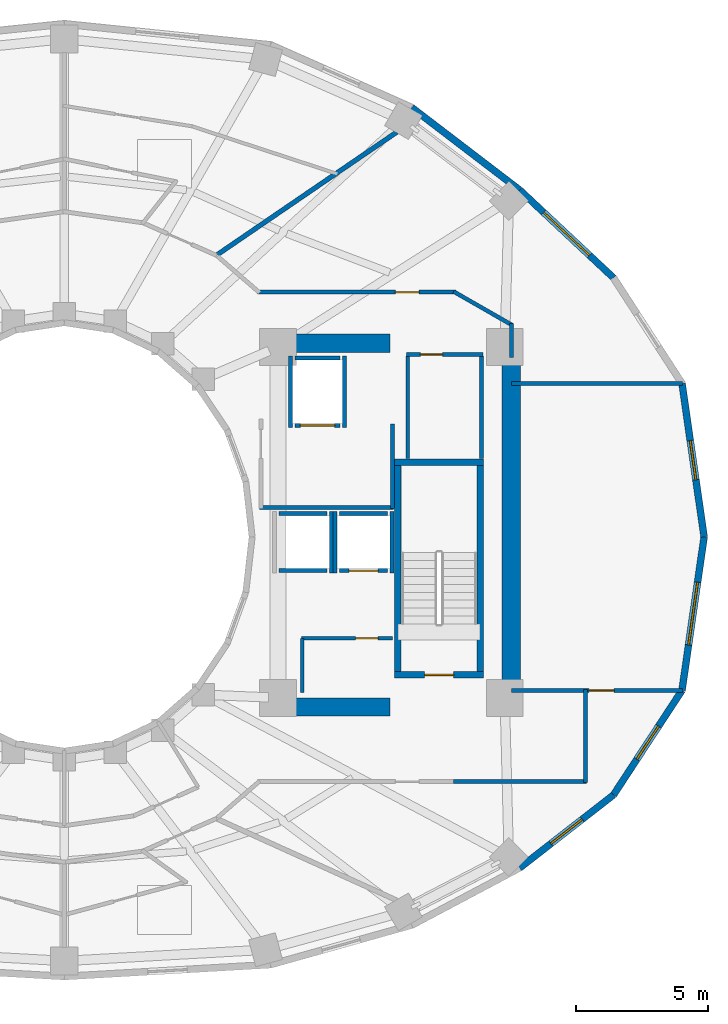
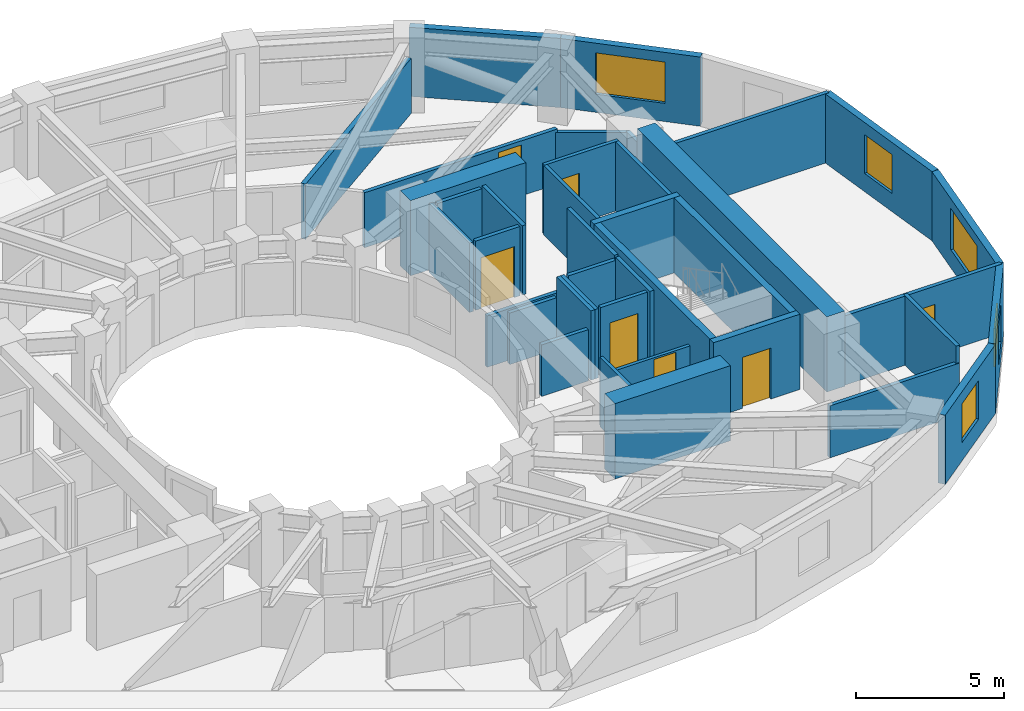
# One storey, part 6 of 9: 39 walls, 7 doors, 5 windows, 12 openings.
"""IFC4 building model written with IfcOpenShell, lengths in metres."""

from ifc_helpers import new_model, si_unit, direction, frame, frame_2d, origin, place, context, subcontext, project, spatial, rectangle, extrude, material, layer, layer_set, type_object, element, fill, save


model = new_model("IFC4")

# Units and contexts
model_context = context("Model", 3, precision=1e-05, world=origin(), true_north=direction((0.0, 1.0)))
body_context = subcontext(model_context, "Body", "Model", "MODEL_VIEW")
ifc_project = project(units=[si_unit("LENGTHUNIT", "METRE"), si_unit("AREAUNIT", "SQUARE_METRE"), si_unit("VOLUMEUNIT", "CUBIC_METRE"), si_unit("PLANEANGLEUNIT", "RADIAN"), si_unit("MASSUNIT", "GRAM", prefix="KILO")], contexts=[model_context])

# Site, building, storey
site_placement = place(None, origin())
site = spatial("IfcSite", under=ifc_project, at=site_placement, CompositionType="ELEMENT")
building_placement = place(site_placement, origin())
building = spatial("IfcBuilding", under=site, at=building_placement, Name="Solvane Sanctuary Tower", CompositionType="ELEMENT")
storey_placement = place(building_placement, frame((0.0, 0.0, 113.5)))
storey = spatial("IfcBuildingStorey", under=building, at=storey_placement, Name="L34", CompositionType="ELEMENT", Elevation=113.5)

# Walls
ifc_material_1 = material(Name="Concrete C60/75", Category="concrete")
ifc_layer_1 = layer(ifc_material_1, 0.699951171875, Name="Concrete C60/75")
ifc_layer_set_1 = layer_set([ifc_layer_1], Name="Concrete C60/75")
wall_type_1 = type_object("IfcWallType", Name="Wall W-CORE-700", PredefinedType="SHEAR", material=ifc_layer_set_1)
wall_1_placement = place(storey_placement, frame((48.949951171875, 17.050048828125, 0.0), z_axis=(0.0, 0.0, 1.0), x_axis=(0.0, 1.0, 0.0)))
element("IfcWall", 1, at=wall_1_placement, inside=storey, type_object=wall_type_1, Name="L34 Core Shear Wall EC-E", PredefinedType="SHEAR", context=body_context, shape_type="SweptSolid", body=[
    extrude(rectangle(XDim=12.800048828125, YDim=0.699951171875, at=frame_2d((6.39990234375, 0.0))), origin(), (0.0, 0.0, 1.0), 3.10009765625),
])
for number, where, z_axis, x_axis, name in (
    (2, (39.85009765625, 16.550048828125, 0.0), (0.0, 0.0, 1.0), (1.0, 0.0, 0.0), "L34 Core Shear Wall EC-S"),
    (3, (39.85009765625, 30.35009765625, 0.0), (0.0, 0.0, 1.0), (1.0, 0.0, 0.0), "L34 Core Shear Wall EC-N"),
):
    element("IfcWall", number, at=place(storey_placement, frame(where, z_axis=z_axis, x_axis=x_axis)), inside=storey, type_object=wall_type_1, Name=name, PredefinedType="SHEAR", context=body_context, shape_type="SweptSolid", body=[
        extrude(rectangle(XDim=4.5, YDim=0.699951171875, at=frame_2d((2.25, 0.0))), origin(), (0.0, 0.0, 1.0), 3.10009765625),
    ])
ifc_material_2 = material(Name="Acoustic Gypsum Partition Board")
ifc_layer_2 = layer(ifc_material_2, 0.14990234375, Name="Acoustic Gypsum Partition Board")
ifc_layer_set_2 = layer_set([ifc_layer_2], Name="Acoustic Gypsum Partition Board")
wall_type_2 = type_object("IfcWallType", Name="Wall W-CORR-150", PredefinedType="PARTITIONING", material=ifc_layer_set_2)
wall_2_placement = place(storey_placement, frame((39.39990234375, 24.1201171875, 0.0), z_axis=(0.0, 0.0, 1.0), x_axis=(1.0, 0.0, 0.0)))
element("IfcWall", 4, at=wall_2_placement, inside=storey, type_object=wall_type_2, Name="L34 East Firefighting Lobby South Wall", PredefinedType="PARTITIONING", context=body_context, shape_type="SweptSolid", body=[
    extrude(rectangle(XDim=5.080078125, YDim=0.14990234375, at=frame_2d((2.5400390625, 0.0))), origin(), (0.0, 0.0, 1.0), 2.1201171875),
])
wall_3_placement = place(storey_placement, frame((44.449951171875, 24.080078125, 0.0), z_axis=(0.0, 0.0, 1.0), x_axis=(0.0, 1.0, 0.0)))
element("IfcWall", 5, at=wall_3_placement, inside=storey, type_object=wall_type_2, Name="L34 East Firefighting Lobby East Wall", PredefinedType="PARTITIONING", context=body_context, shape_type="SweptSolid", body=[
    extrude(rectangle(XDim=3.199951171875, YDim=0.14990234375, at=frame_2d((1.60009765625, 0.0))), origin(), (0.0, 0.0, 1.0), 2.85498046875),
])

# Wall, opening, door
wall_4_placement = place(storey_placement, frame((48.949951171875, 17.1748046875, 0.0), z_axis=(0.0, 0.0, 1.0), x_axis=(1.0, 0.0, 0.0)))
wall_4 = element("IfcWall", 6, at=wall_4_placement, inside=storey, type_object=wall_type_2, Name="L34 East Shoulder South Wall", PredefinedType="PARTITIONING", context=body_context, shape_type="SweptSolid", body=[
    extrude(rectangle(XDim=6.49169921875, YDim=0.14990234375, at=frame_2d((3.245849609375, 0.0))), origin(), (0.0, 0.0, 1.0), 2.85498046875),
])
opening_1_placement = place(wall_4_placement, frame((2.947509765625, 0.0, 0.0)))
opening_1 = element("IfcOpeningElement", 7, at=opening_1_placement, cuts=wall_4, Name="Opening D-L34-10", PredefinedType="OPENING", context=body_context, shape_type="SweptSolid", body=[
    extrude(rectangle(XDim=0.949951171875, YDim=2.10009765625, at=frame_2d((0.47509765625, 1.050048828125))), frame((0.0, 0.0849609375, 0.0), z_axis=(0.0, -1.0, 0.0), x_axis=(1.0, 0.0, 0.0)), (0.0, 0.0, 1.0), 0.169921875),
])
ifc_material_3 = material(Name="Engineered Tropical Hardwood", Category="wood")
door_type_1 = type_object("IfcDoorType", Name="Door D-ROOM-950", OperationType="NOTDEFINED", PredefinedType="DOOR", material=ifc_material_3)
door_1_placement = place(opening_1_placement, origin())
door_1 = element("IfcDoor", 8, at=door_1_placement, inside=storey, type_object=door_type_1, Name="L34 East Shoulder South Door", OperationType="SINGLE_SWING_LEFT", OverallHeight=2.10009765625, OverallWidth=0.949951171875, PredefinedType="DOOR", context=body_context, shape_type="SweptSolid", body=[
    extrude(rectangle(XDim=0.949951171875, YDim=2.10009765625, at=frame_2d((0.47509765625, 1.050048828125))), frame((0.0, 0.02490234375, 0.0), z_axis=(0.0, -1.0, 0.0), x_axis=(1.0, 0.0, 0.0)), (0.0, 0.0, 1.0), 0.050048828125),
])
fill(opening_1, door_1)

# Walls
wall_5_placement = place(storey_placement, frame((48.949951171875, 28.8251953125, 0.0), z_axis=(0.0, 0.0, 1.0), x_axis=(1.0, 0.0, 0.0)))
element("IfcWall", 9, at=wall_5_placement, inside=storey, type_object=wall_type_2, Name="L34 East Shoulder North Wall", PredefinedType="PARTITIONING", context=body_context, shape_type="SweptSolid", body=[
    extrude(rectangle(XDim=6.49169921875, YDim=0.14990234375, at=frame_2d((3.245849609375, 0.0))), origin(), (0.0, 0.0, 1.0), 2.85498046875),
])
wall_6_placement = place(storey_placement, frame((48.949951171875, 29.800048828125, 0.0), z_axis=(0.0, 0.0, 1.0), x_axis=(0.0, 1.0, 0.0)))
element("IfcWall", 10, at=wall_6_placement, inside=storey, type_object=wall_type_2, Name="L34 NE Corner Closer 1", PredefinedType="PARTITIONING", context=body_context, shape_type="SweptSolid", body=[
    extrude(rectangle(XDim=1.2900390625, YDim=0.14990234375, at=frame_2d((0.64501953125, 0.0))), origin(), (0.0, 0.0, 1.0), 2.14208984375),
])

# Wall, opening, door
wall_7_placement = place(storey_placement, frame((39.330078125, 32.280029296875, 0.0), z_axis=(0.0, 0.0, 1.0), x_axis=(1.0, 0.0, 0.0)))
wall_7 = element("IfcWall", 11, at=wall_7_placement, inside=storey, type_object=wall_type_2, Name="L34 NE Corner Corridor Wall", PredefinedType="PARTITIONING", context=body_context, shape_type="SweptSolid", body=[
    extrude(rectangle(XDim=7.52001953125, YDim=0.14990234375, at=frame_2d((3.760009765625, 0.0))), origin(), (0.0, 0.0, 1.0), 2.27197265625),
])
opening_2_placement = place(wall_7_placement, frame((5.219970703125, 0.0, 0.0)))
opening_2 = element("IfcOpeningElement", 12, at=opening_2_placement, cuts=wall_7, Name="Opening D-L34-12", PredefinedType="OPENING", context=body_context, shape_type="SweptSolid", body=[
    extrude(rectangle(XDim=0.89990234375, YDim=2.10009765625, at=frame_2d((0.449951171875, 1.050048828125))), frame((0.0, 0.0849609375, 0.0), z_axis=(0.0, -1.0, 0.0), x_axis=(1.0, 0.0, 0.0)), (0.0, 0.0, 1.0), 0.169921875),
])
door_type_2 = type_object("IfcDoorType", Name="Door D-WET-900", OperationType="NOTDEFINED", PredefinedType="DOOR", material=ifc_material_3)
door_2_placement = place(opening_2_placement, origin())
door_2 = element("IfcDoor", 13, at=door_2_placement, inside=storey, type_object=door_type_2, Name="L34 NE Corner Salon Door", OperationType="SINGLE_SWING_LEFT", OverallHeight=2.10009765625, OverallWidth=0.89990234375, PredefinedType="DOOR", context=body_context, shape_type="SweptSolid", body=[
    extrude(rectangle(XDim=0.89990234375, YDim=2.10009765625, at=frame_2d((0.449951171875, 1.050048828125))), frame((0.0, 0.02490234375, 0.0), z_axis=(0.0, -1.0, 0.0), x_axis=(1.0, 0.0, 0.0)), (0.0, 0.0, 1.0), 0.050048828125),
])
fill(opening_2, door_2)

# Walls
wall_8_placement = place(storey_placement, frame((46.756591796875, 32.3046875, 0.0), z_axis=(0.0, 0.0, 1.0), x_axis=(0.867991349648, -0.496579315857, 0.0)))
element("IfcWall", 14, at=wall_8_placement, inside=storey, type_object=wall_type_2, Name="L34 NE Corner Wing Wall", PredefinedType="PARTITIONING", context=body_context, shape_type="SweptSolid", body=[
    extrude(rectangle(XDim=2.56689453125, YDim=0.14990234375, at=frame_2d((1.283447265625, 0.0))), origin(), (0.0, 0.0, 1.0), 2.14208984375),
])
wall_9_placement = place(storey_placement, frame((51.760009765625, 13.679931640625, 0.0), z_axis=(0.0, 0.0, 1.0), x_axis=(0.0, 1.0, 0.0)))
element("IfcWall", 15, at=wall_9_placement, inside=storey, type_object=wall_type_2, Name="L34 SE Corner Closer 1", PredefinedType="PARTITIONING", context=body_context, shape_type="SweptSolid", body=[
    extrude(rectangle(XDim=3.534912109375, YDim=0.14990234375, at=frame_2d((1.767578125, 0.0))), origin(), (0.0, 0.0, 1.0), 2.85498046875),
])
wall_10_placement = place(storey_placement, frame((46.75, 13.719970703125, 0.0), z_axis=(0.0, 0.0, 1.0), x_axis=(1.0, 0.0, 0.0)))
element("IfcWall", 16, at=wall_10_placement, inside=storey, type_object=wall_type_2, Name="L34 SE Corner Wing Wall", PredefinedType="PARTITIONING", context=body_context, shape_type="SweptSolid", body=[
    extrude(rectangle(XDim=5.050048828125, YDim=0.14990234375, at=frame_2d((2.52490234375, 0.0))), origin(), (0.0, 0.0, 1.0), 2.14208984375),
])

# Wall, opening, window
ifc_material_4 = material(Name="Precast concrete C40/50", Category="concrete")
ifc_layer_3 = layer(ifc_material_4, 0.260009765625, Name="Precast concrete C40/50")
ifc_layer_set_3 = layer_set([ifc_layer_3], Name="Precast concrete C40/50")
wall_type_3 = type_object("IfcWallType", Name="Wall W-EXT-250", PredefinedType="STANDARD", material=ifc_layer_set_3)
wall_11_placement = place(storey_placement, frame((56.260009765625, 23.0, 0.0), z_axis=(0.0, 0.0, 1.0), x_axis=(-0.142572472068, 0.98978436551, 0.0)))
wall_11 = element("IfcWall", 17, at=wall_11_placement, inside=storey, type_object=wall_type_3, Name="L34 Ceramic-Printed Facade Wall 00", PredefinedType="STANDARD", context=body_context, shape_type="SweptSolid", body=[
    extrude(rectangle(XDim=5.878662109375, YDim=0.260009765625, at=frame_2d((2.939453125, 0.0))), origin(), (0.0, 0.0, 1.0), 2.85009765625),
])
opening_3_placement = place(wall_11_placement, frame((2.189453125, 0.0, 0.75)))
opening_3 = element("IfcOpeningElement", 18, at=opening_3_placement, cuts=wall_11, Name="Opening WN-OPER-1500", PredefinedType="OPENING", context=body_context, shape_type="SweptSolid", body=[
    extrude(rectangle(XDim=1.5, YDim=1.60009765625, at=frame_2d((0.75, 0.800048828125))), frame((0.0, 0.139892578125, 0.0), z_axis=(0.0, -1.0, 0.0), x_axis=(1.0, 0.0, 0.0)), (0.0, 0.0, 1.0), 0.280029296875),
])
ifc_material_5 = material(Name="Dark Ceramic-Fritted Low-E Glass", Category="glass")
window_type_1 = type_object("IfcWindowType", Name="Window WN-OPER-1500", PartitioningType="SINGLE_PANEL", PredefinedType="WINDOW", material=ifc_material_5)
window_1_placement = place(opening_3_placement, origin())
window_1 = element("IfcWindow", 19, at=window_1_placement, inside=storey, type_object=window_type_1, Name="L34 Operable Facade Window 00", OverallHeight=1.60009765625, OverallWidth=1.5, PartitioningType="SINGLE_PANEL", PredefinedType="WINDOW", context=body_context, shape_type="SweptSolid", body=[
    extrude(rectangle(XDim=1.5, YDim=1.60009765625, at=frame_2d((0.75, 0.800048828125))), frame((0.0, 0.030029296875, 0.0), z_axis=(0.0, -1.0, 0.0), x_axis=(1.0, 0.0, 0.0)), (0.0, 0.0, 1.0), 0.06005859375),
])
fill(opening_3, window_1)

wall_12_placement = place(storey_placement, frame((52.820556640625, 32.826904296875, 0.0), z_axis=(0.0, 0.0, 1.0), x_axis=(-0.730162452258, 0.68327358599, 0.0)))
wall_12 = element("IfcWall", 20, at=wall_12_placement, inside=storey, type_object=wall_type_3, Name="L34 Ceramic-Printed Facade Wall 02", PredefinedType="STANDARD", context=body_context, shape_type="SweptSolid", body=[
    extrude(rectangle(XDim=4.868408203125, YDim=0.260009765625, at=frame_2d((2.43408203125, 0.0))), origin(), (0.0, 0.0, 1.0), 2.85009765625),
])
opening_4_placement = place(wall_12_placement, frame((1.234130859375, 0.0, 0.75)))
opening_4 = element("IfcOpeningElement", 21, at=opening_4_placement, cuts=wall_12, Name="Opening WN-RIB-2400", PredefinedType="OPENING", context=body_context, shape_type="SweptSolid", body=[
    extrude(rectangle(XDim=2.39990234375, YDim=1.699951171875, at=frame_2d((1.199951171875, 0.85009765625))), frame((0.0, 0.139892578125, 0.0), z_axis=(0.0, -1.0, 0.0), x_axis=(1.0, 0.0, 0.0)), (0.0, 0.0, 1.0), 0.280029296875),
])
window_type_2 = type_object("IfcWindowType", Name="Window WN-RIB-2400", PartitioningType="SINGLE_PANEL", PredefinedType="WINDOW", material=ifc_material_5)
window_2_placement = place(opening_4_placement, origin())
window_2 = element("IfcWindow", 22, at=window_2_placement, inside=storey, type_object=window_type_2, Name="L34 Operable Facade Window 02", OverallHeight=1.699951171875, OverallWidth=2.39990234375, PartitioningType="SINGLE_PANEL", PredefinedType="WINDOW", context=body_context, shape_type="SweptSolid", body=[
    extrude(rectangle(XDim=2.39990234375, YDim=1.699951171875, at=frame_2d((1.199951171875, 0.85009765625))), frame((0.0, 0.030029296875, 0.0), z_axis=(0.0, -1.0, 0.0), x_axis=(1.0, 0.0, 0.0)), (0.0, 0.0, 1.0), 0.06005859375),
])
fill(opening_4, window_2)

# Wall
wall_13_placement = place(storey_placement, frame((49.265869140625, 36.1533203125, 0.0), z_axis=(0.0, 0.0, 1.0), x_axis=(-0.794809810864, 0.606858603427, 0.0)))
element("IfcWall", 23, at=wall_13_placement, inside=storey, type_object=wall_type_3, Name="L34 Ceramic-Printed Facade Wall 03", PredefinedType="STANDARD", context=body_context, shape_type="SweptSolid", body=[
    extrude(rectangle(XDim=5.149169921875, YDim=0.260009765625, at=frame_2d((2.57470703125, 0.0))), origin(), (0.0, 0.0, 1.0), 2.85009765625),
])

# Wall, opening, window
wall_14_placement = place(storey_placement, frame((49.265869140625, 10.44677734375, 0.0), z_axis=(0.0, 0.0, 1.0), x_axis=(0.789127449954, 0.614229491094, 0.0)))
wall_14 = element("IfcWall", 24, at=wall_14_placement, inside=storey, type_object=wall_type_3, Name="L34 Ceramic-Printed Facade Wall 21", PredefinedType="STANDARD", context=body_context, shape_type="SweptSolid", body=[
    extrude(rectangle(XDim=4.504638671875, YDim=0.260009765625, at=frame_2d((2.25244140625, 0.0))), origin(), (0.0, 0.0, 1.0), 2.85009765625),
])
opening_5_placement = place(wall_14_placement, frame((1.502197265625, 0.0, 0.75)))
opening_5 = element("IfcOpeningElement", 25, at=opening_5_placement, cuts=wall_14, Name="Opening WN-OPER-1500", PredefinedType="OPENING", context=body_context, shape_type="SweptSolid", body=[
    extrude(rectangle(XDim=1.5, YDim=1.60009765625, at=frame_2d((0.75, 0.800048828125))), frame((0.0, 0.139892578125, 0.0), z_axis=(0.0, -1.0, 0.0), x_axis=(1.0, 0.0, 0.0)), (0.0, 0.0, 1.0), 0.280029296875),
])
window_3_placement = place(opening_5_placement, origin())
window_3 = element("IfcWindow", 26, at=window_3_placement, inside=storey, type_object=window_type_1, Name="L34 Operable Facade Window 21", OverallHeight=1.60009765625, OverallWidth=1.5, PartitioningType="SINGLE_PANEL", PredefinedType="WINDOW", context=body_context, shape_type="SweptSolid", body=[
    extrude(rectangle(XDim=1.5, YDim=1.60009765625, at=frame_2d((0.75, 0.800048828125))), frame((0.0, 0.030029296875, 0.0), z_axis=(0.0, -1.0, 0.0), x_axis=(1.0, 0.0, 0.0)), (0.0, 0.0, 1.0), 0.06005859375),
])
fill(opening_5, window_3)

wall_15_placement = place(storey_placement, frame((52.820556640625, 13.213623046875, 0.0), z_axis=(0.0, 0.0, 1.0), x_axis=(0.548283220945, 0.836292717672, 0.0)))
wall_15 = element("IfcWall", 27, at=wall_15_placement, inside=storey, type_object=wall_type_3, Name="L34 Ceramic-Printed Facade Wall 22", PredefinedType="STANDARD", context=body_context, shape_type="SweptSolid", body=[
    extrude(rectangle(XDim=4.744384765625, YDim=0.260009765625, at=frame_2d((2.3720703125, 0.0))), origin(), (0.0, 0.0, 1.0), 2.85009765625),
])
opening_6_placement = place(wall_15_placement, frame((1.622314453125, 0.0, 0.75)))
opening_6 = element("IfcOpeningElement", 28, at=opening_6_placement, cuts=wall_15, Name="Opening WN-OPER-1500", PredefinedType="OPENING", context=body_context, shape_type="SweptSolid", body=[
    extrude(rectangle(XDim=1.5, YDim=1.60009765625, at=frame_2d((0.75, 0.800048828125))), frame((0.0, 0.139892578125, 0.0), z_axis=(0.0, -1.0, 0.0), x_axis=(1.0, 0.0, 0.0)), (0.0, 0.0, 1.0), 0.280029296875),
])
window_4_placement = place(opening_6_placement, origin())
window_4 = element("IfcWindow", 29, at=window_4_placement, inside=storey, type_object=window_type_1, Name="L34 Operable Facade Window 22", OverallHeight=1.60009765625, OverallWidth=1.5, PartitioningType="SINGLE_PANEL", PredefinedType="WINDOW", context=body_context, shape_type="SweptSolid", body=[
    extrude(rectangle(XDim=1.5, YDim=1.60009765625, at=frame_2d((0.75, 0.800048828125))), frame((0.0, 0.030029296875, 0.0), z_axis=(0.0, -1.0, 0.0), x_axis=(1.0, 0.0, 0.0)), (0.0, 0.0, 1.0), 0.06005859375),
])
fill(opening_6, window_4)

wall_16_placement = place(storey_placement, frame((55.421875, 17.181396484375, 0.0), z_axis=(0.0, 0.0, 1.0), x_axis=(0.142572472068, 0.98978436551, 0.0)))
wall_16 = element("IfcWall", 30, at=wall_16_placement, inside=storey, type_object=wall_type_3, Name="L34 Ceramic-Printed Facade Wall 23", PredefinedType="STANDARD", context=body_context, shape_type="SweptSolid", body=[
    extrude(rectangle(XDim=5.878662109375, YDim=0.260009765625, at=frame_2d((2.939453125, 0.0))), origin(), (0.0, 0.0, 1.0), 2.85009765625),
])
opening_7_placement = place(wall_16_placement, frame((1.739501953125, 0.0, 0.75)))
opening_7 = element("IfcOpeningElement", 31, at=opening_7_placement, cuts=wall_16, Name="Opening WN-RIB-2400", PredefinedType="OPENING", context=body_context, shape_type="SweptSolid", body=[
    extrude(rectangle(XDim=2.39990234375, YDim=1.699951171875, at=frame_2d((1.199951171875, 0.85009765625))), frame((0.0, 0.139892578125, 0.0), z_axis=(0.0, -1.0, 0.0), x_axis=(1.0, 0.0, 0.0)), (0.0, 0.0, 1.0), 0.280029296875),
])
window_5_placement = place(opening_7_placement, origin())
window_5 = element("IfcWindow", 32, at=window_5_placement, inside=storey, type_object=window_type_2, Name="L34 Operable Facade Window 23", OverallHeight=1.699951171875, OverallWidth=2.39990234375, PartitioningType="SINGLE_PANEL", PredefinedType="WINDOW", context=body_context, shape_type="SweptSolid", body=[
    extrude(rectangle(XDim=2.39990234375, YDim=1.699951171875, at=frame_2d((1.199951171875, 0.85009765625))), frame((0.0, 0.030029296875, 0.0), z_axis=(0.0, -1.0, 0.0), x_axis=(1.0, 0.0, 0.0)), (0.0, 0.0, 1.0), 0.06005859375),
])
fill(opening_7, window_5)

# Wall, opening, door
ifc_layer_4 = layer(ifc_material_2, 0.125, Name="Acoustic Gypsum Partition Board")
ifc_layer_set_4 = layer_set([ifc_layer_4], Name="Acoustic Gypsum Partition Board")
wall_type_4 = type_object("IfcWallType", Name="Wall W-PART-125", PredefinedType="PARTITIONING", material=ifc_layer_set_4)
wall_17_placement = place(storey_placement, frame((41.0, 19.159912109375, 0.0), z_axis=(0.0, 0.0, 1.0), x_axis=(1.0, 0.0, 0.0)))
wall_17 = element("IfcWall", 33, at=wall_17_placement, inside=storey, type_object=wall_type_4, Name="L34 Reclaimed Room Partition PLE", PredefinedType="PARTITIONING", context=body_context, shape_type="SweptSolid", body=[
    extrude(rectangle(XDim=3.449951171875, YDim=0.125, at=frame_2d((1.72509765625, 0.0))), origin(), (0.0, 0.0, 1.0), 2.1201171875),
])
opening_8_placement = place(wall_17_placement, frame((2.050048828125, 0.0, 0.0)))
opening_8 = element("IfcOpeningElement", 34, at=opening_8_placement, cuts=wall_17, Name="Opening D-L34-07", PredefinedType="OPENING", context=body_context, shape_type="SweptSolid", body=[
    extrude(rectangle(XDim=0.85009765625, YDim=2.050048828125, at=frame_2d((0.425048828125, 1.02490234375))), frame((0.0, 0.072509765625, 0.0), z_axis=(0.0, -1.0, 0.0), x_axis=(1.0, 0.0, 0.0)), (0.0, 0.0, 1.0), 0.14501953125),
])
ifc_material_6 = material(Name="Architectural Stainless Steel 316", Category="steel")
door_type_3 = type_object("IfcDoorType", Name="Door D-RISER", OperationType="NOTDEFINED", PredefinedType="DOOR", material=ifc_material_6)
door_3_placement = place(opening_8_placement, origin())
door_3 = element("IfcDoor", 35, at=door_3_placement, inside=storey, type_object=door_type_3, Name="L34 Reclaimed Room Door PLE-1", OperationType="SINGLE_SWING_RIGHT", OverallHeight=2.050048828125, OverallWidth=0.85009765625, PredefinedType="DOOR", context=body_context, shape_type="SweptSolid", body=[
    extrude(rectangle(XDim=0.85009765625, YDim=2.050048828125, at=frame_2d((0.425048828125, 1.02490234375))), frame((0.0, 0.02490234375, 0.0), z_axis=(0.0, -1.0, 0.0), x_axis=(1.0, 0.0, 0.0)), (0.0, 0.0, 1.0), 0.050048828125),
])
fill(opening_8, door_3)

# Wall
wall_18_placement = place(storey_placement, frame((41.02001953125, 17.10009765625, 0.0), z_axis=(0.0, 0.0, 1.0), x_axis=(0.0, 1.0, 0.0)))
element("IfcWall", 36, at=wall_18_placement, inside=storey, type_object=wall_type_4, Name="L34 Reclaimed Room Closer Wall PLE-1", PredefinedType="PARTITIONING", context=body_context, shape_type="SweptSolid", body=[
    extrude(rectangle(XDim=2.039794921875, YDim=0.125, at=frame_2d((1.02001953125, 0.0))), origin(), (0.0, 0.0, 1.0), 2.85498046875),
])

# Wall, opening, door
ifc_material_7 = material(Name="Concrete C50/60", Category="concrete")
ifc_layer_5 = layer(ifc_material_7, 0.14990234375, Name="Concrete C50/60")
ifc_layer_set_5 = layer_set([ifc_layer_5], Name="Concrete C50/60")
wall_type_5 = type_object("IfcWallType", Name="Wall W-SHAFT-150", PredefinedType="SOLIDWALL", material=ifc_layer_set_5)
wall_19_placement = place(storey_placement, frame((42.43994140625, 21.719970703125, 0.0), z_axis=(0.0, 0.0, 1.0), x_axis=(1.0, 0.0, 0.0)))
wall_19 = element("IfcWall", 37, at=wall_19_placement, inside=storey, type_object=wall_type_5, Name="L34 PM-2 Lift Shaft Wall F", PredefinedType="SOLIDWALL", context=body_context, shape_type="SweptSolid", body=[
    extrude(rectangle(XDim=1.820068359375, YDim=0.14990234375, at=frame_2d((0.91015625, 0.0))), origin(), (0.0, 0.0, 1.0), 2.85498046875),
])
opening_9_placement = place(wall_19_placement, frame((0.360107421875, 0.0, 0.0)))
opening_9 = element("IfcOpeningElement", 38, at=opening_9_placement, cuts=wall_19, Name="Opening LD-L34-02", PredefinedType="OPENING", context=body_context, shape_type="SweptSolid", body=[
    extrude(rectangle(XDim=1.10009765625, YDim=2.10009765625, at=frame_2d((0.550048828125, 1.050048828125))), frame((0.0, 0.0849609375, 0.0), z_axis=(0.0, -1.0, 0.0), x_axis=(1.0, 0.0, 0.0)), (0.0, 0.0, 1.0), 0.169921875),
])
door_type_4 = type_object("IfcDoorType", Name="Door LD-PASS-1100", OperationType="NOTDEFINED", PredefinedType="DOOR", material=ifc_material_6)
door_4_placement = place(opening_9_placement, origin())
door_4 = element("IfcDoor", 39, at=door_4_placement, inside=storey, type_object=door_type_4, Name="L34 PM-2 Lift Landing Door", OperationType="DOUBLE_DOOR_SLIDING", OverallHeight=2.10009765625, OverallWidth=1.10009765625, PredefinedType="DOOR", context=body_context, shape_type="SweptSolid", body=[
    extrude(rectangle(XDim=1.10009765625, YDim=2.10009765625, at=frame_2d((0.550048828125, 1.050048828125))), frame((0.0, 0.02490234375, 0.0), z_axis=(0.0, -1.0, 0.0), x_axis=(1.0, 0.0, 0.0)), (0.0, 0.0, 1.0), 0.050048828125),
])
fill(opening_9, door_4)

# Walls
wall_20_placement = place(storey_placement, frame((42.43994140625, 23.8798828125, 0.0), z_axis=(0.0, 0.0, 1.0), x_axis=(1.0, 0.0, 0.0)))
element("IfcWall", 40, at=wall_20_placement, inside=storey, type_object=wall_type_5, Name="L34 PM-2 Lift Shaft Wall B", PredefinedType="SOLIDWALL", context=body_context, shape_type="SweptSolid", body=[
    extrude(rectangle(XDim=1.820068359375, YDim=0.14990234375, at=frame_2d((0.91015625, 0.0))), origin(), (0.0, 0.0, 1.0), 2.85498046875),
])
for number, where, z_axis, x_axis, name in (
    (41, (42.27001953125, 21.639892578125, 0.0), (0.0, 0.0, 1.0), (0.0, 1.0, 0.0), "L34 PM-2 Lift Shaft Wall S1"),
    (42, (44.429931640625, 21.639892578125, 0.0), (0.0, 0.0, 1.0), (0.0, 1.0, 0.0), "L34 PM-2 Lift Shaft Wall S2"),
):
    element("IfcWall", number, at=place(storey_placement, frame(where, z_axis=z_axis, x_axis=x_axis)), inside=storey, type_object=wall_type_5, Name=name, PredefinedType="SOLIDWALL", context=body_context, shape_type="SweptSolid", body=[
        extrude(rectangle(XDim=2.320068359375, YDim=0.14990234375, at=frame_2d((1.16015625, 0.0))), origin(), (0.0, 0.0, 1.0), 2.85498046875),
    ])
for number, where, z_axis, x_axis, name in (
    (43, (40.139892578125, 21.719970703125, 0.0), (0.0, 0.0, 1.0), (1.0, 0.0, 0.0), "L34 PH-2 Lift Shaft Wall F"),
    (44, (40.139892578125, 23.8798828125, 0.0), (0.0, 0.0, 1.0), (1.0, 0.0, 0.0), "L34 PH-2 Lift Shaft Wall B"),
):
    element("IfcWall", number, at=place(storey_placement, frame(where, z_axis=z_axis, x_axis=x_axis)), inside=storey, type_object=wall_type_5, Name=name, PredefinedType="SOLIDWALL", context=body_context, shape_type="SweptSolid", body=[
        extrude(rectangle(XDim=1.820068359375, YDim=0.14990234375, at=frame_2d((0.91015625, 0.0))), origin(), (0.0, 0.0, 1.0), 2.1201171875),
    ])
wall_21_placement = place(storey_placement, frame((42.1298828125, 21.639892578125, 0.0), z_axis=(0.0, 0.0, 1.0), x_axis=(0.0, 1.0, 0.0)))
element("IfcWall", 45, at=wall_21_placement, inside=storey, type_object=wall_type_5, Name="L34 PH-2 Lift Shaft Wall S2", PredefinedType="SOLIDWALL", context=body_context, shape_type="SweptSolid", body=[
    extrude(rectangle(XDim=2.320068359375, YDim=0.14990234375, at=frame_2d((1.16015625, 0.0))), origin(), (0.0, 0.0, 1.0), 2.85498046875),
])

# Wall, opening, door
wall_22_placement = place(storey_placement, frame((40.739990234375, 27.219970703125, 0.0), z_axis=(0.0, 0.0, 1.0), x_axis=(1.0, 0.0, 0.0)))
wall_22 = element("IfcWall", 46, at=wall_22_placement, inside=storey, type_object=wall_type_5, Name="L34 FFL-2 Lift Shaft Wall F", PredefinedType="SOLIDWALL", context=body_context, shape_type="SweptSolid", body=[
    extrude(rectangle(XDim=1.719970703125, YDim=0.14990234375, at=frame_2d((0.85986328125, 0.0))), origin(), (0.0, 0.0, 1.0), 2.85498046875),
])
opening_10_placement = place(wall_22_placement, frame((0.2099609375, 0.0, 0.0)))
opening_10 = element("IfcOpeningElement", 47, at=opening_10_placement, cuts=wall_22, Name="Opening LD-L34-05", PredefinedType="OPENING", context=body_context, shape_type="SweptSolid", body=[
    extrude(rectangle(XDim=1.300048828125, YDim=2.10009765625, at=frame_2d((0.64990234375, 1.050048828125))), frame((0.0, 0.0849609375, 0.0), z_axis=(0.0, -1.0, 0.0), x_axis=(1.0, 0.0, 0.0)), (0.0, 0.0, 1.0), 0.169921875),
])
door_type_5 = type_object("IfcDoorType", Name="Door LD-FFL-1300", OperationType="NOTDEFINED", PredefinedType="DOOR", material=ifc_material_6)
door_5_placement = place(opening_10_placement, origin())
door_5 = element("IfcDoor", 48, at=door_5_placement, inside=storey, type_object=door_type_5, Name="L34 FFL-2 Lift Landing Door", OperationType="DOUBLE_DOOR_SLIDING", OverallHeight=2.10009765625, OverallWidth=1.300048828125, PredefinedType="DOOR", context=body_context, shape_type="SweptSolid", body=[
    extrude(rectangle(XDim=1.300048828125, YDim=2.10009765625, at=frame_2d((0.64990234375, 1.050048828125))), frame((0.0, 0.02490234375, 0.0), z_axis=(0.0, -1.0, 0.0), x_axis=(1.0, 0.0, 0.0)), (0.0, 0.0, 1.0), 0.050048828125),
])
fill(opening_10, door_5)

# Walls
wall_23_placement = place(storey_placement, frame((40.739990234375, 29.780029296875, 0.0), z_axis=(0.0, 0.0, 1.0), x_axis=(1.0, 0.0, 0.0)))
element("IfcWall", 49, at=wall_23_placement, inside=storey, type_object=wall_type_5, Name="L34 FFL-2 Lift Shaft Wall B", PredefinedType="SOLIDWALL", context=body_context, shape_type="SweptSolid", body=[
    extrude(rectangle(XDim=1.719970703125, YDim=0.14990234375, at=frame_2d((0.85986328125, 0.0))), origin(), (0.0, 0.0, 1.0), 2.85498046875),
])
for number, where, z_axis, x_axis, name in (
    (50, (40.570068359375, 27.139892578125, 0.0), (0.0, 0.0, 1.0), (0.0, 1.0, 0.0), "L34 FFL-2 Lift Shaft Wall S1"),
    (51, (42.6298828125, 27.139892578125, 0.0), (0.0, 0.0, 1.0), (0.0, 1.0, 0.0), "L34 FFL-2 Lift Shaft Wall S2"),
):
    element("IfcWall", number, at=place(storey_placement, frame(where, z_axis=z_axis, x_axis=x_axis)), inside=storey, type_object=wall_type_5, Name=name, PredefinedType="SOLIDWALL", context=body_context, shape_type="SweptSolid", body=[
        extrude(rectangle(XDim=2.72021484375, YDim=0.14990234375, at=frame_2d((1.360107421875, 0.0))), origin(), (0.0, 0.0, 1.0), 2.85498046875),
    ])

# Wall, opening, door
ifc_layer_6 = layer(ifc_material_7, 0.25, Name="Concrete C50/60")
ifc_layer_set_6 = layer_set([ifc_layer_6], Name="Concrete C50/60")
wall_type_6 = type_object("IfcWallType", Name="Wall W-SHAFT-250", PredefinedType="SOLIDWALL", material=ifc_layer_set_6)
wall_24_placement = place(storey_placement, frame((44.52490234375, 17.77001953125, 0.0), z_axis=(0.0, 0.0, 1.0), x_axis=(1.0, 0.0, 0.0)))
wall_24 = element("IfcWall", 52, at=wall_24_placement, inside=storey, type_object=wall_type_6, Name="L34 ST-2 Load-Bearing Shaft Wall S", PredefinedType="SOLIDWALL", context=body_context, shape_type="SweptSolid", body=[
    extrude(rectangle(XDim=3.3701171875, YDim=0.25, at=frame_2d((1.68505859375, 0.0))), origin(), (0.0, 0.0, 1.0), 3.10009765625),
])
opening_11_placement = place(wall_24_placement, frame((1.135009765625, 0.0, 0.0)))
opening_11 = element("IfcOpeningElement", 53, at=opening_11_placement, cuts=wall_24, Name="Opening D-L34-02", PredefinedType="OPENING", context=body_context, shape_type="SweptSolid", body=[
    extrude(rectangle(XDim=1.10009765625, YDim=2.10009765625, at=frame_2d((0.550048828125, 1.050048828125))), frame((0.0, 0.135009765625, 0.0), z_axis=(0.0, -1.0, 0.0), x_axis=(1.0, 0.0, 0.0)), (0.0, 0.0, 1.0), 0.27001953125),
])
door_type_6 = type_object("IfcDoorType", Name="Door D-STAIR", OperationType="NOTDEFINED", PredefinedType="DOOR", material=ifc_material_6)
door_6_placement = place(opening_11_placement, origin())
door_6 = element("IfcDoor", 54, at=door_6_placement, inside=storey, type_object=door_type_6, Name="L34 ST-2 Exit Stair Fire Door", OperationType="SINGLE_SWING_LEFT", OverallHeight=2.10009765625, OverallWidth=1.10009765625, PredefinedType="DOOR", context=body_context, shape_type="SweptSolid", body=[
    extrude(rectangle(XDim=1.10009765625, YDim=2.10009765625, at=frame_2d((0.550048828125, 1.050048828125))), frame((0.0, 0.02490234375, 0.0), z_axis=(0.0, -1.0, 0.0), x_axis=(1.0, 0.0, 0.0)), (0.0, 0.0, 1.0), 0.050048828125),
])
fill(opening_11, door_6)

# Walls
wall_25_placement = place(storey_placement, frame((44.52490234375, 25.830078125, 0.0), z_axis=(0.0, 0.0, 1.0), x_axis=(1.0, 0.0, 0.0)))
element("IfcWall", 55, at=wall_25_placement, inside=storey, type_object=wall_type_6, Name="L34 ST-2 Load-Bearing Shaft Wall N", PredefinedType="SOLIDWALL", context=body_context, shape_type="SweptSolid", body=[
    extrude(rectangle(XDim=3.3701171875, YDim=0.25, at=frame_2d((1.68505859375, 0.0))), origin(), (0.0, 0.0, 1.0), 3.10009765625),
])
for number, where, z_axis, x_axis, name in (
    (56, (44.64990234375, 17.89501953125, 0.0), (0.0, 0.0, 1.0), (0.0, 1.0, 0.0), "L34 ST-2 Load-Bearing Shaft Wall W"),
    (57, (47.77001953125, 17.89501953125, 0.0), (0.0, 0.0, 1.0), (0.0, 1.0, 0.0), "L34 ST-2 Load-Bearing Shaft Wall E"),
):
    element("IfcWall", number, at=place(storey_placement, frame(where, z_axis=z_axis, x_axis=x_axis)), inside=storey, type_object=wall_type_6, Name=name, PredefinedType="SOLIDWALL", context=body_context, shape_type="SweptSolid", body=[
        extrude(rectangle(XDim=7.81005859375, YDim=0.25, at=frame_2d((3.905029296875, 0.0))), origin(), (0.0, 0.0, 1.0), 3.10009765625),
    ])
ifc_layer_7 = layer(ifc_material_2, 0.179931640625, Name="Acoustic Gypsum Partition Board")
ifc_layer_set_7 = layer_set([ifc_layer_7], Name="Acoustic Gypsum Partition Board")
wall_type_7 = type_object("IfcWallType", Name="Wall W-UNIT-180", PredefinedType="PARTITIONING", material=ifc_layer_set_7)
wall_26_placement = place(storey_placement, frame((37.810302734375, 33.708984375, 0.0), z_axis=(0.0, 0.0, 1.0), x_axis=(0.825850521911, 0.563889098546, 0.0)))
element("IfcWall", 58, at=wall_26_placement, inside=storey, type_object=wall_type_7, Name="L34 Radial Compartment Wall 060", PredefinedType="PARTITIONING", context=body_context, shape_type="SweptSolid", body=[
    extrude(rectangle(XDim=8.228271484375, YDim=0.179931640625, at=frame_2d((4.1142578125, 0.0))), origin(), (0.0, 0.0, 1.0), 2.27197265625),
])

# Wall, opening, door
ifc_layer_8 = layer(ifc_material_2, 0.139892578125, Name="Acoustic Gypsum Partition Board")
ifc_layer_set_8 = layer_set([ifc_layer_8], Name="Acoustic Gypsum Partition Board")
wall_type_8 = type_object("IfcWallType", Name="Wall W-WET-140", PredefinedType="PLUMBINGWALL", material=ifc_layer_set_8)
wall_27_placement = place(storey_placement, frame((44.97998046875, 29.919921875, 0.0), z_axis=(0.0, 0.0, 1.0), x_axis=(1.0, 0.0, 0.0)))
wall_27 = element("IfcWall", 59, at=wall_27_placement, inside=storey, type_object=wall_type_8, Name="L34 Core Service Front Wall KE0", PredefinedType="PLUMBINGWALL", context=body_context, shape_type="SweptSolid", body=[
    extrude(rectangle(XDim=2.89990234375, YDim=0.139892578125, at=frame_2d((1.449951171875, 0.0))), origin(), (0.0, 0.0, 1.0), 2.85498046875),
])
opening_12_placement = place(wall_27_placement, frame((0.515869140625, 0.0, 0.0)))
opening_12 = element("IfcOpeningElement", 60, at=opening_12_placement, cuts=wall_27, Name="Opening D-L34-09", PredefinedType="OPENING", context=body_context, shape_type="SweptSolid", body=[
    extrude(rectangle(XDim=0.85009765625, YDim=2.050048828125, at=frame_2d((0.425048828125, 1.02490234375))), frame((0.0, 0.079833984375, 0.0), z_axis=(0.0, -1.0, 0.0), x_axis=(1.0, 0.0, 0.0)), (0.0, 0.0, 1.0), 0.159912109375),
])
door_7_placement = place(opening_12_placement, origin())
door_7 = element("IfcDoor", 61, at=door_7_placement, inside=storey, type_object=door_type_3, Name="L34 Core Service Room Door KE0-1", OperationType="SINGLE_SWING_RIGHT", OverallHeight=2.050048828125, OverallWidth=0.85009765625, PredefinedType="DOOR", context=body_context, shape_type="SweptSolid", body=[
    extrude(rectangle(XDim=0.85009765625, YDim=2.050048828125, at=frame_2d((0.425048828125, 1.02490234375))), frame((0.0, 0.02490234375, 0.0), z_axis=(0.0, -1.0, 0.0), x_axis=(1.0, 0.0, 0.0)), (0.0, 0.0, 1.0), 0.050048828125),
])
fill(opening_12, door_7)

# Walls
for number, where, z_axis, x_axis, name in (
    (62, (45.02001953125, 25.97998046875, 0.0), (0.0, 0.0, 1.0), (0.0, 1.0, 0.0), "L34 Core Service Side Wall KE0-1"),
    (63, (47.820068359375, 25.97998046875, 0.0), (0.0, 0.0, 1.0), (0.0, 1.0, 0.0), "L34 Core Service Side Wall KE0-2"),
):
    element("IfcWall", number, at=place(storey_placement, frame(where, z_axis=z_axis, x_axis=x_axis)), inside=storey, type_object=wall_type_8, Name=name, PredefinedType="PLUMBINGWALL", context=body_context, shape_type="SweptSolid", body=[
        extrude(rectangle(XDim=3.880126953125, YDim=0.139892578125, at=frame_2d((1.93994140625, 0.0))), origin(), (0.0, 0.0, 1.0), 2.85498046875),
    ])

save(model, "model.ifc")
